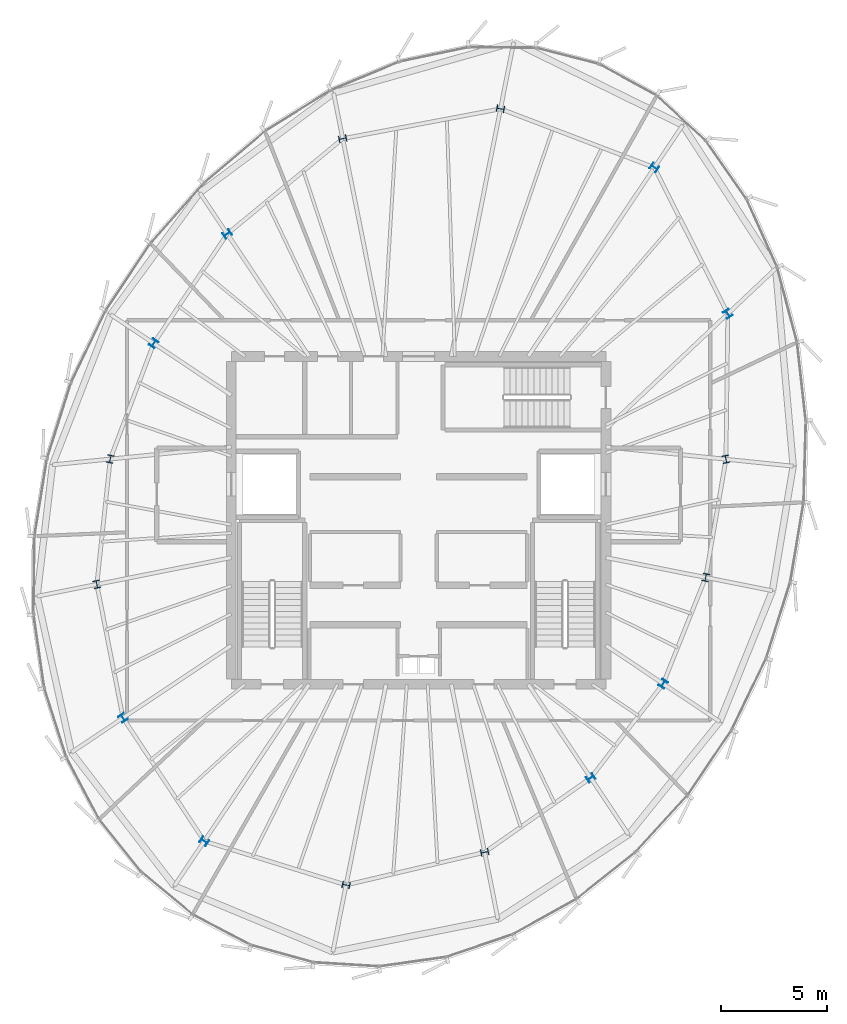
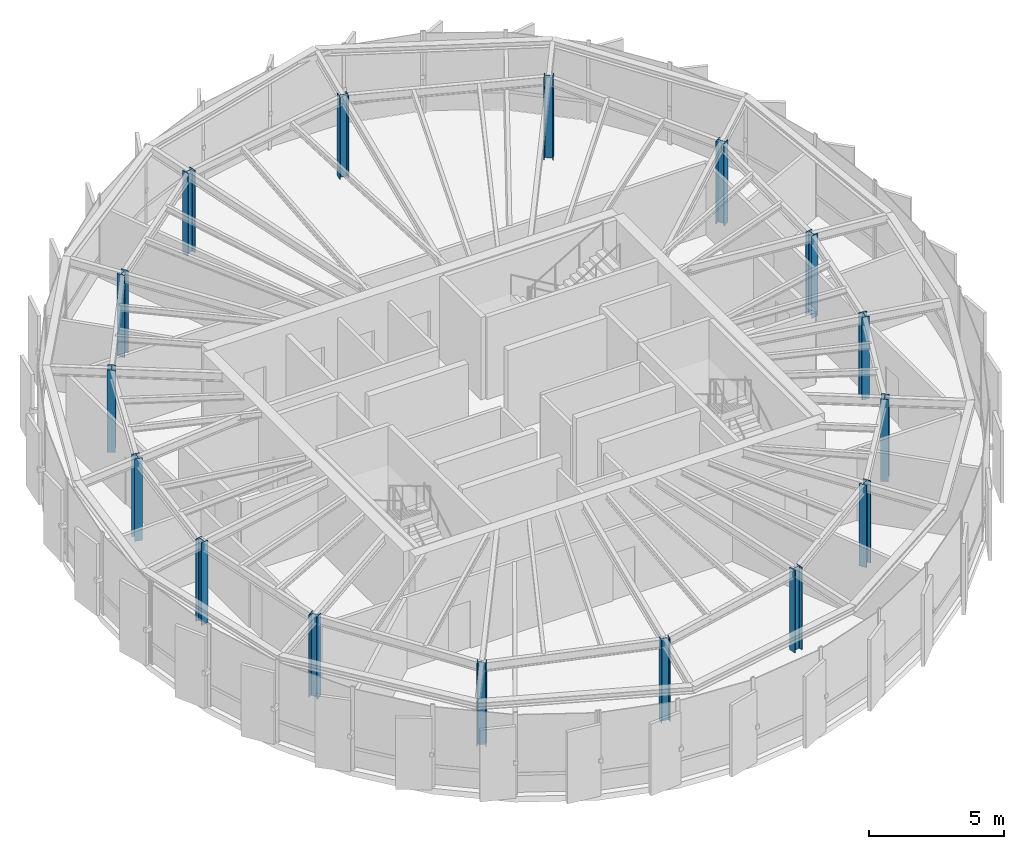
# One storey, part 1 of 27: 16 columns.
"""IFC4 building model written with IfcOpenShell, lengths in metres."""

from ifc_helpers import new_model, si_unit, direction, frame, origin, origin_2d, place, context, subcontext, project, spatial, i_section, extrude, source, transform, mapped, material, material_profile, profile_set, type_object, element, save


model = new_model("IFC4")

# Units and contexts
model_context = context("Model", 3, precision=1e-05, world=origin(), true_north=direction((0.0, 1.0)))
body_context = subcontext(model_context, "Body", "Model", "MODEL_VIEW")
ifc_project = project(units=[si_unit("LENGTHUNIT", "METRE"), si_unit("AREAUNIT", "SQUARE_METRE"), si_unit("VOLUMEUNIT", "CUBIC_METRE"), si_unit("PLANEANGLEUNIT", "RADIAN"), si_unit("MASSUNIT", "GRAM", prefix="KILO"), si_unit("THERMODYNAMICTEMPERATUREUNIT", "KELVIN")], contexts=[model_context])

# Site, building, storey
site_placement = place(None, origin())
site = spatial("IfcSite", under=ifc_project, at=site_placement, CompositionType="ELEMENT")
building_placement = place(site_placement, origin())
building = spatial("IfcBuilding", under=site, at=building_placement, Name="Kethvar Cultural Tower", CompositionType="ELEMENT")
storey_placement = place(building_placement, frame((0.0, 0.0, 308.300048828125)))
storey = spatial("IfcBuildingStorey", under=building, at=storey_placement, Name="L82", CompositionType="ELEMENT", Elevation=308.300048828125)

# Columns
ifc_material = material(Name="Steel S355J2", Category="steel")
ifc_material_profile = material_profile(ifc_material, i_section(OverallWidth=0.30908203125, OverallDepth=0.35888671875, WebThickness=0.01611328125, FlangeThickness=0.02587890625, FilletRadius=0.027099609375, at=origin_2d()), Name="Steel S355J2 — HD320x245")
ifc_profile_set = profile_set([ifc_material_profile], Name="Steel S355J2 — HD320x245")
column_type = type_object("IfcColumnType", Name="COL-HD245", PredefinedType="COLUMN", material=ifc_profile_set)
shared_shape = source(origin(), body_context, "Body", "SweptSolid", [
    extrude(i_section(OverallWidth=0.30908203125, OverallDepth=0.35888671875, WebThickness=0.01611328125, FlangeThickness=0.02587890625, FilletRadius=0.027099609375, at=origin_2d()), origin(), (0.0, 0.0, 1.0), 3.73486328125),
])
for number, where, z_axis, x_axis, name in (
    (1, (61.237060546875, 30.671630859375, 0.0), (0.0, 0.0, 1.0), (0.980785280403, 0.195090322016, 0.0), "L82 Mega-Column MC-01"),
    (2, (61.32568359375, 37.505859375, 0.0), (0.0, 0.0, 1.0), (0.831469612303, 0.55557023302, 0.0), "L82 Mega-Column MC-02"),
    (3, (57.875244140625, 44.375, 0.0), (0.0, 0.0, 1.0), (0.55557023302, 0.831469612303, 0.0), "L82 Mega-Column MC-03"),
    (4, (50.645263671875, 47.131591796875, 0.0), (0.0, 0.0, 1.0), (0.195090322016, 0.980785280403, 0.0), "L82 Mega-Column MC-04"),
    (5, (43.23291015625, 45.732421875, 0.0), (0.0, 0.0, 1.0), (-0.195090322016, 0.980785280403, 0.0), "L82 Mega-Column MC-05"),
    (6, (37.8095703125, 41.255126953125, 0.0), (0.0, 0.0, 1.0), (-0.55557023302, 0.831469612303, 0.0), "L82 Mega-Column MC-06"),
    (7, (34.35595703125, 36.114990234375, 0.0), (0.0, 0.0, 1.0), (-0.831469612303, 0.55557023302, 0.0), "L82 Mega-Column MC-07"),
    (8, (32.3125, 30.681884765625, 0.0), (0.0, 0.0, 1.0), (-0.980785280403, 0.195090322016, 0.0), "L82 Mega-Column MC-08"),
    (9, (31.68310546875, 24.79296875, 0.0), (0.0, 0.0, 1.0), (-0.980785280403, -0.195090322016, 0.0), "L82 Mega-Column MC-09"),
    (10, (32.912841796875, 18.52099609375, 0.0), (0.0, 0.0, 1.0), (-0.831469612303, -0.55557023302, 0.0), "L82 Mega-Column MC-10"),
    (11, (36.731201171875, 12.73095703125, 0.0), (0.0, 0.0, 1.0), (-0.55557023302, -0.831469612303, 0.0), "L82 Mega-Column MC-11"),
    (12, (43.392822265625, 10.67138671875, 0.0), (0.0, 0.0, 1.0), (-0.195090322016, -0.980785280403, 0.0), "L82 Mega-Column MC-12"),
    (13, (49.901611328125, 12.206787109375, 0.0), (0.0, 0.0, 1.0), (0.195090322016, -0.980785280403, 0.0), "L82 Mega-Column MC-13"),
    (14, (54.885009765625, 15.7001953125, 0.0), (0.0, 0.0, 1.0), (0.55557023302, -0.831469612303, 0.0), "L82 Mega-Column MC-14"),
    (15, (58.287109375, 20.12451171875, 0.0), (0.0, 0.0, 1.0), (0.831469612303, -0.55557023302, 0.0), "L82 Mega-Column MC-15"),
    (16, (60.28369140625, 25.117919921875, 0.0), (0.0, 0.0, 1.0), (0.980785280403, -0.195090322016, 0.0), "L82 Mega-Column MC-16"),
):
    element("IfcColumn", number, at=place(storey_placement, frame(where, z_axis=z_axis, x_axis=x_axis)), inside=storey, type_object=column_type, Name=name, PredefinedType="COLUMN", context=body_context, shape_type="MappedRepresentation", body=[
        mapped(shared_shape, transform((0.0, 0.0, 0.0), scale=1.0)),
    ])

save(model, "model.ifc")
